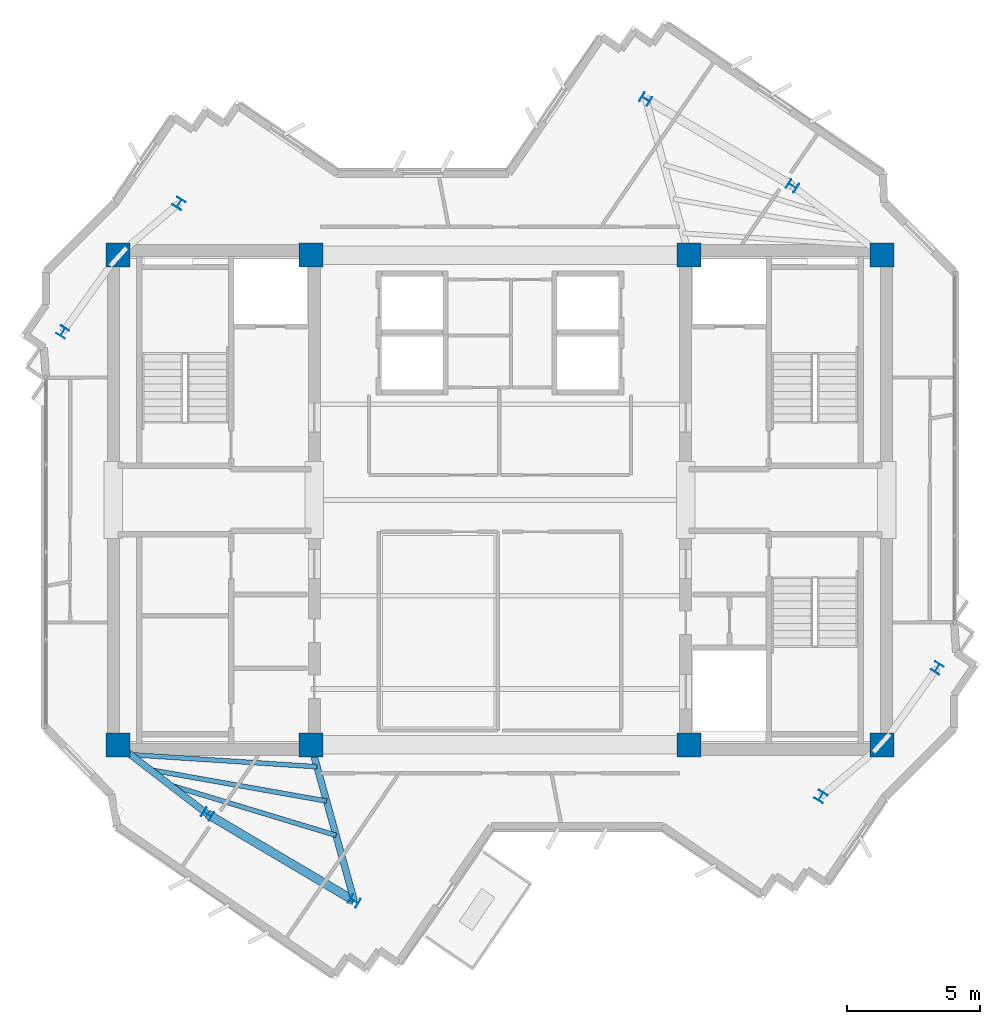
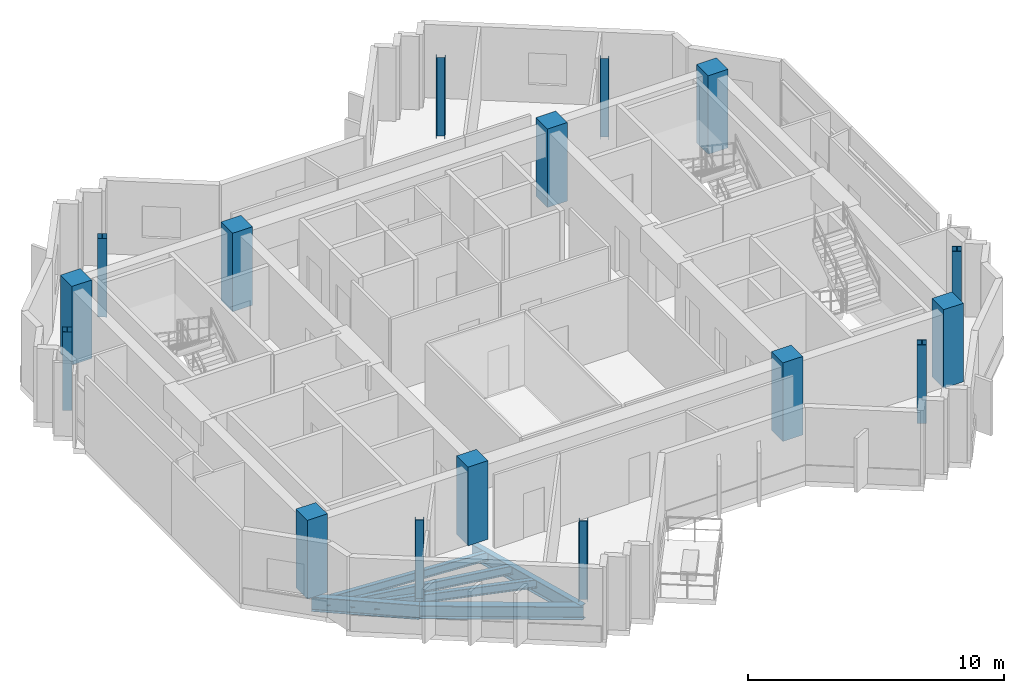
# One storey, part 1 of 11: 16 columns, 6 beams.
"""IFC4 building model written with IfcOpenShell, lengths in metres."""

from ifc_helpers import new_model, si_unit, direction, frame, origin, origin_2d, place, context, subcontext, project, spatial, rectangle, i_section, extrude, source, transform, mapped, material, material_profile, profile_set, type_object, element, save


model = new_model("IFC4")

# Units and contexts
model_context = context("Model", 3, precision=1e-05, world=origin(), true_north=direction((0.0, 1.0)))
body_context = subcontext(model_context, "Body", "Model", "MODEL_VIEW")
ifc_project = project(units=[si_unit("LENGTHUNIT", "METRE"), si_unit("AREAUNIT", "SQUARE_METRE"), si_unit("VOLUMEUNIT", "CUBIC_METRE"), si_unit("PLANEANGLEUNIT", "RADIAN"), si_unit("MASSUNIT", "GRAM", prefix="KILO")], contexts=[model_context])

# Site, building, storey
site_placement = place(None, origin())
site = spatial("IfcSite", under=ifc_project, at=site_placement, CompositionType="ELEMENT")
building_placement = place(site_placement, origin())
building = spatial("IfcBuilding", under=site, at=building_placement, Name="Zahravan Cultural Tower", CompositionType="ELEMENT")
storey_placement = place(building_placement, frame((0.0, 0.0, 334.800048828125)))
storey = spatial("IfcBuildingStorey", under=building, at=storey_placement, Name="L81", CompositionType="ELEMENT", Elevation=334.800048828125)

# Columns
ifc_material_1 = material(Name="Concrete C50/60", Category="concrete")
ifc_material_profile_1 = material_profile(ifc_material_1, rectangle(XDim=0.89990234375, YDim=0.89990234375, at=origin_2d()), Name="RC900X900")
ifc_profile_set_1 = profile_set([ifc_material_profile_1], Name="Concrete C50/60")
column_type_1 = type_object("IfcColumnType", Name="COL-RC900", PredefinedType="COLUMN", material=ifc_profile_set_1)
shared_shape_1 = source(origin(), body_context, "Body", "SweptSolid", [
    extrude(rectangle(XDim=0.89990234375, YDim=0.89990234375, at=origin_2d()), origin(), (0.0, 0.0, 1.0), 3.75),
])
for number, where, z_axis, x_axis, name in (
    (1, (21.64990234375, 17.800048828125, 0.0), (0.0, 0.0, 1.0), (1.0, 0.0, 0.0), "L81 Column CC-W1"),
    (2, (28.89990234375, 17.800048828125, 0.0), (0.0, 0.0, 1.0), (1.0, 0.0, 0.0), "L81 Column CC-W2"),
    (3, (21.64990234375, 36.199951171875, 0.0), (0.0, 0.0, 1.0), (1.0, 0.0, 0.0), "L81 Column CC-W3"),
    (4, (28.89990234375, 36.199951171875, 0.0), (0.0, 0.0, 1.0), (1.0, 0.0, 0.0), "L81 Column CC-W4"),
    (5, (43.10009765625, 17.800048828125, 0.0), (0.0, 0.0, 1.0), (1.0, 0.0, 0.0), "L81 Column CC-E1"),
    (6, (50.35009765625, 17.800048828125, 0.0), (0.0, 0.0, 1.0), (1.0, 0.0, 0.0), "L81 Column CC-E2"),
    (7, (43.10009765625, 36.199951171875, 0.0), (0.0, 0.0, 1.0), (1.0, 0.0, 0.0), "L81 Column CC-E3"),
    (8, (50.35009765625, 36.199951171875, 0.0), (0.0, 0.0, 1.0), (1.0, 0.0, 0.0), "L81 Column CC-E4"),
):
    element("IfcColumn", number, at=place(storey_placement, frame(where, z_axis=z_axis, x_axis=x_axis)), inside=storey, type_object=column_type_1, Name=name, PredefinedType="COLUMN", context=body_context, shape_type="MappedRepresentation", body=[
        mapped(shared_shape_1, transform((0.0, 0.0, 0.0), x_axis=(1.0, 0.0, 0.0), y_axis=(0.0, 1.0, 0.0), z_axis=(0.0, 0.0, 1.0), scale=1.0)),
    ])
ifc_material_2 = material(Name="Steel ASTM A992 Grade 50", Category="steel")
ifc_material_profile_2 = material_profile(ifc_material_2, i_section(OverallWidth=0.368896484375, OverallDepth=0.35595703125, WebThickness=0.01123046875, FlangeThickness=0.01806640625, FilletRadius=0.01806640625, at=origin_2d()), Name="W14X90")
ifc_profile_set_2 = profile_set([ifc_material_profile_2], Name="Steel ASTM A992 Grade 50")
column_type_2 = type_object("IfcColumnType", Name="COL-W14X90", PredefinedType="COLUMN", material=ifc_profile_set_2)
shared_shape_2 = source(origin(), body_context, "Body", "SweptSolid", [
    extrude(i_section(OverallWidth=0.368896484375, OverallDepth=0.35595703125, WebThickness=0.01123046875, FlangeThickness=0.01806640625, FilletRadius=0.01806640625, at=origin_2d()), origin(), (0.0, 0.0, 1.0), 3.75),
])
for number, where, z_axis, x_axis, name in (
    (9, (46.98388671875, 38.7998046875, 0.0), (0.0, 0.0, 1.0), (0.522498564716, 0.852640164354, 0.0), "L81 Column Z4C-E1"),
    (10, (41.474853515625, 42.058349609375, 0.0), (0.0, 0.0, 1.0), (0.522498564716, 0.852640164354, 0.0), "L81 Column Z4C-E2"),
    (11, (23.944580078125, 38.140625, 0.0), (0.0, 0.0, 1.0), (-0.852640164354, 0.522498564716, 0.0), "L81 Column Z4C-N1"),
    (12, (19.577392578125, 33.310791015625, 0.0), (0.0, 0.0, 1.0), (-0.852640164354, 0.522498564716, 0.0), "L81 Column Z4C-N2"),
    (13, (25.01611328125, 15.2001953125, 0.0), (0.0, 0.0, 1.0), (0.522498564716, 0.852640164354, 0.0), "L81 Column Z4C-W1"),
    (14, (30.525146484375, 11.941650390625, 0.0), (0.0, 0.0, 1.0), (0.522498564716, 0.852640164354, 0.0), "L81 Column Z4C-W2"),
    (15, (48.055419921875, 15.859375, 0.0), (0.0, 0.0, 1.0), (-0.852640164354, 0.522498564716, 0.0), "L81 Column Z4C-S1"),
    (16, (52.422607421875, 20.689208984375, 0.0), (0.0, 0.0, 1.0), (-0.852640164354, 0.522498564716, 0.0), "L81 Column Z4C-S2"),
):
    element("IfcColumn", number, at=place(storey_placement, frame(where, z_axis=z_axis, x_axis=x_axis)), inside=storey, type_object=column_type_2, Name=name, PredefinedType="COLUMN", context=body_context, shape_type="MappedRepresentation", body=[
        mapped(shared_shape_2, transform((0.0, 0.0, 0.0), x_axis=(1.0, 0.0, 0.0), y_axis=(0.0, 1.0, 0.0), z_axis=(0.0, 0.0, 1.0), scale=1.0)),
    ])

# Beams
ifc_material_profile_3 = material_profile(ifc_material_2, i_section(OverallWidth=0.326904296875, OverallDepth=0.6220703125, WebThickness=0.015380859375, FlangeThickness=0.0244140625, FilletRadius=0.014892578125, at=origin_2d()), Name="W24X131")
ifc_profile_set_3 = profile_set([ifc_material_profile_3], Name="Steel ASTM A992 Grade 50")
beam_type_1 = type_object("IfcBeamType", Name="BM-SP-W24X131", PredefinedType="SPANDREL", material=ifc_profile_set_3)
shared_shape_3 = source(origin(), body_context, "Body", "SweptSolid", [
    extrude(i_section(OverallWidth=0.326904296875, OverallDepth=0.6220703125, WebThickness=0.015380859375, FlangeThickness=0.0244140625, FilletRadius=0.014892578125, at=origin_2d()), origin(), (0.0, 0.0, 1.0), 6.400634765625),
])
beam_1_placement = place(storey_placement, frame((25.01611328125, 15.2001953125, -0.56103515625), z_axis=(0.860706991833, -0.509100652337, 0.0), x_axis=(0.509100652337, 0.860706991833, 0.0)))
element("IfcBeam", 17, at=beam_1_placement, inside=storey, type_object=beam_type_1, Name="L81 Beam SP-L81-15", PredefinedType="SPANDREL", context=body_context, shape_type="MappedRepresentation", body=[
    mapped(shared_shape_3, transform((0.0, 0.0, 0.0), x_axis=(1.0, 0.0, 0.0), y_axis=(0.0, 1.0, 0.0), z_axis=(0.0, 0.0, 1.0), scale=1.0)),
])
ifc_material_profile_4 = material_profile(ifc_material_2, i_section(OverallWidth=0.177978515625, OverallDepth=0.406005859375, WebThickness=0.0078125, FlangeThickness=0.0126953125, FilletRadius=0.011962890625, at=origin_2d()), Name="W16X40")
ifc_profile_set_4 = profile_set([ifc_material_profile_4], Name="Steel ASTM A992 Grade 50")
beam_type_2 = type_object("IfcBeamType", Name="BM-J-W16X40", PredefinedType="JOIST", material=ifc_profile_set_4)
shared_shape_4 = source(origin(), body_context, "Body", "SweptSolid", [
    extrude(i_section(OverallWidth=0.177978515625, OverallDepth=0.406005859375, WebThickness=0.0078125, FlangeThickness=0.0126953125, FilletRadius=0.011962890625, at=origin_2d()), origin(), (0.0, 0.0, 1.0), 7.02099609375),
])
beam_2_placement = place(storey_placement, frame((22.121337890625, 17.43603515625, -0.453125), z_axis=(0.99788584579, -0.064991066863, 0.0), x_axis=(0.064991066863, 0.99788584579, 0.0)))
element("IfcBeam", 18, at=beam_2_placement, inside=storey, type_object=beam_type_2, Name="L81 Beam BJ-L81-24", PredefinedType="JOIST", context=body_context, shape_type="MappedRepresentation", body=[
    mapped(shared_shape_4, transform((0.0, 0.0, 0.0), x_axis=(1.0, 0.0, 0.0), y_axis=(0.0, 1.0, 0.0), z_axis=(0.0, 0.0, 1.0), scale=1.0)),
])
shared_shape_5 = source(origin(), body_context, "Body", "SweptSolid", [
    extrude(i_section(OverallWidth=0.177978515625, OverallDepth=0.406005859375, WebThickness=0.0078125, FlangeThickness=0.0126953125, FilletRadius=0.011962890625, at=origin_2d()), origin(), (0.0, 0.0, 1.0), 6.726318359375),
])
beam_3_placement = place(storey_placement, frame((22.86181640625, 16.864013671875, -0.453125), z_axis=(0.98467447748, -0.17440233198, 0.0), x_axis=(0.17440233198, 0.98467447748, 0.0)))
element("IfcBeam", 19, at=beam_3_placement, inside=storey, type_object=beam_type_2, Name="L81 Beam BJ-L81-26", PredefinedType="JOIST", context=body_context, shape_type="MappedRepresentation", body=[
    mapped(shared_shape_5, transform((0.0, 0.0, 0.0), x_axis=(1.0, 0.0, 0.0), y_axis=(0.0, 1.0, 0.0), z_axis=(0.0, 0.0, 1.0), scale=1.0)),
])
shared_shape_6 = source(origin(), body_context, "Body", "SweptSolid", [
    extrude(i_section(OverallWidth=0.177978515625, OverallDepth=0.406005859375, WebThickness=0.0078125, FlangeThickness=0.0126953125, FilletRadius=0.011962890625, at=origin_2d()), origin(), (0.0, 0.0, 1.0), 6.520263671875),
])
beam_4_placement = place(storey_placement, frame((23.602294921875, 16.292236328125, -0.453125), z_axis=(0.957060297679, -0.289888921151, 0.0), x_axis=(0.289888921151, 0.957060297679, 0.0)))
element("IfcBeam", 20, at=beam_4_placement, inside=storey, type_object=beam_type_2, Name="L81 Beam BJ-L81-28", PredefinedType="JOIST", context=body_context, shape_type="MappedRepresentation", body=[
    mapped(shared_shape_6, transform((0.0, 0.0, 0.0), x_axis=(1.0, 0.0, 0.0), y_axis=(0.0, 1.0, 0.0), z_axis=(0.0, 0.0, 1.0), scale=1.0)),
])
ifc_material_profile_5 = material_profile(ifc_material_2, i_section(OverallWidth=0.25390625, OverallDepth=0.68798828125, WebThickness=0.01318359375, FlangeThickness=0.02099609375, FilletRadius=0.01806640625, at=origin_2d()), Name="W27X102")
ifc_profile_set_5 = profile_set([ifc_material_profile_5], Name="Steel ASTM A992 Grade 50")
beam_type_3 = type_object("IfcBeamType", Name="BM-G-W27X102", PredefinedType="BEAM", material=ifc_profile_set_5)
shared_shape_7 = source(origin(), body_context, "Body", "SweptSolid", [
    extrude(i_section(OverallWidth=0.25390625, OverallDepth=0.68798828125, WebThickness=0.01318359375, FlangeThickness=0.02099609375, FilletRadius=0.01806640625, at=origin_2d()), origin(), (0.0, 0.0, 1.0), 4.25341796875),
])
beam_5_placement = place(storey_placement, frame((21.64990234375, 17.800048828125, -0.593994140625), z_axis=(0.791433936253, -0.611254713313, 0.0), x_axis=(0.611254713313, 0.791433936253, 0.0)))
element("IfcBeam", 21, at=beam_5_placement, inside=storey, type_object=beam_type_3, Name="L81 Beam BG-L81-07", PredefinedType="BEAM", context=body_context, shape_type="MappedRepresentation", body=[
    mapped(shared_shape_7, transform((0.0, 0.0, 0.0), x_axis=(1.0, 0.0, 0.0), y_axis=(0.0, 1.0, 0.0), z_axis=(0.0, 0.0, 1.0), scale=1.0)),
])
shared_shape_8 = source(origin(), body_context, "Body", "SweptSolid", [
    extrude(i_section(OverallWidth=0.25390625, OverallDepth=0.68798828125, WebThickness=0.01318359375, FlangeThickness=0.02099609375, FilletRadius=0.01806640625, at=origin_2d()), origin(), (0.0, 0.0, 1.0), 6.07958984375),
])
beam_6_placement = place(storey_placement, frame((28.89990234375, 17.800048828125, -0.593994140625), z_axis=(0.267324894686, -0.963606455292, 0.0), x_axis=(0.963606455292, 0.267324894686, 0.0)))
element("IfcBeam", 22, at=beam_6_placement, inside=storey, type_object=beam_type_3, Name="L81 Beam BG-L81-08", PredefinedType="BEAM", context=body_context, shape_type="MappedRepresentation", body=[
    mapped(shared_shape_8, transform((0.0, 0.0, 0.0), x_axis=(1.0, 0.0, 0.0), y_axis=(0.0, 1.0, 0.0), z_axis=(0.0, 0.0, 1.0), scale=1.0)),
])

save(model, "model.ifc")
